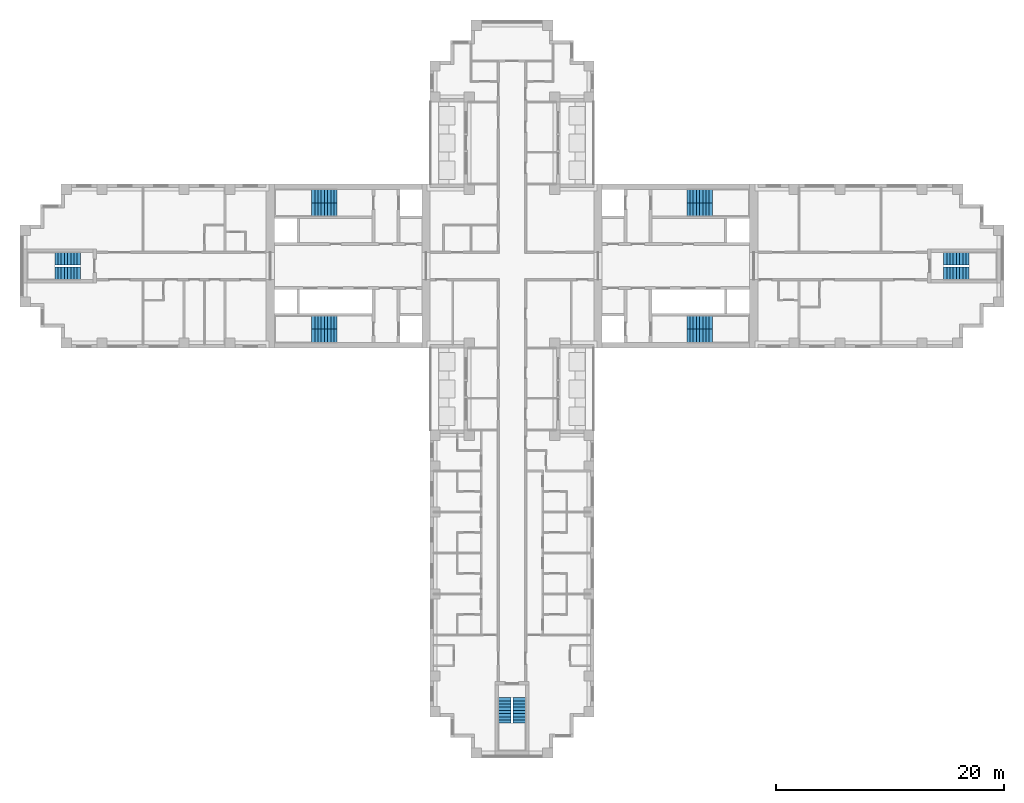
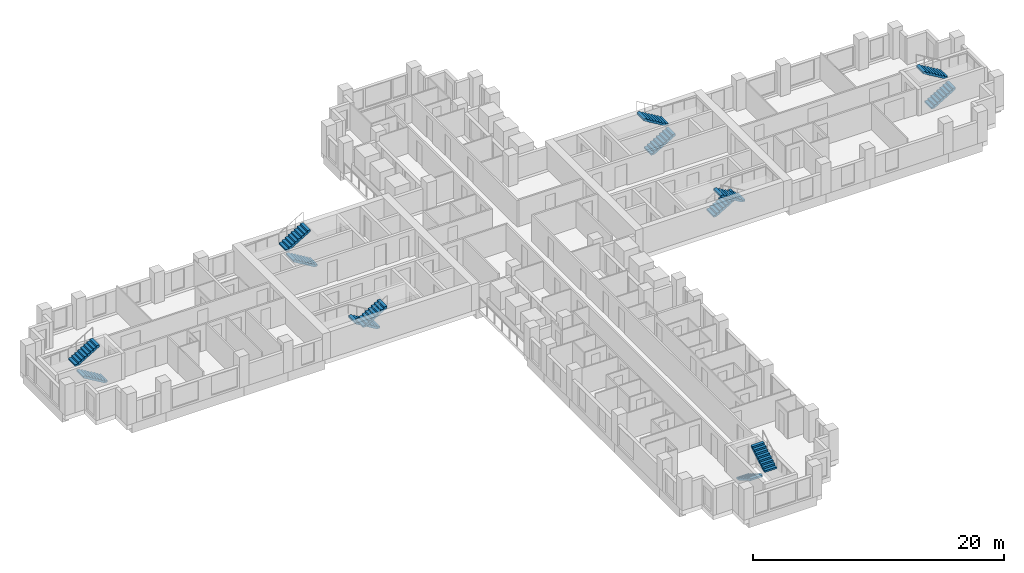
# One storey, part 12 of 14: 14 stair flights, 7 elements without a shape of their own.
"""IFC4 building model written with IfcOpenShell, lengths in metres."""

from ifc_helpers import new_model, si_unit, direction, frame, origin, place, context, subcontext, project, spatial, polyline, outline, extrude, material, type_object, element, aggregate, save


model = new_model("IFC4")

# Units and contexts
model_context = context("Model", 3, precision=1e-05, world=origin(), true_north=direction((0.0, 1.0)))
body_context = subcontext(model_context, "Body", "Model", "MODEL_VIEW")
ifc_project = project(units=[si_unit("LENGTHUNIT", "METRE"), si_unit("AREAUNIT", "SQUARE_METRE"), si_unit("VOLUMEUNIT", "CUBIC_METRE"), si_unit("PLANEANGLEUNIT", "RADIAN"), si_unit("MASSUNIT", "GRAM", prefix="KILO")], contexts=[model_context])

# Site, building, storey
site_placement = place(None, origin())
site = spatial("IfcSite", under=ifc_project, at=site_placement, CompositionType="ELEMENT")
building_placement = place(site_placement, origin())
building = spatial("IfcBuilding", under=site, at=building_placement, Name="Fustian Cross Tower", CompositionType="ELEMENT")
storey_placement = place(building_placement, frame((0.0, 0.0, 69.89990234375)))
storey = spatial("IfcBuildingStorey", under=building, at=storey_placement, Name="L21", CompositionType="ELEMENT", Elevation=69.89990234375)

# Stair, stair flights
ifc_material_1 = material(Name="Concrete C50/60", Category="concrete")
stair_type_1 = type_object("IfcStairType", Name="STAIR 1100 HALF TURN", PredefinedType="HALF_TURN_STAIR", material=ifc_material_1)
stair_1_placement = place(storey_placement, origin())
stair_1 = element("IfcStair", 1, at=stair_1_placement, inside=storey, type_object=stair_type_1, Name="Stair ST6", PredefinedType="HALF_TURN_STAIR")
ifc_material_2 = material(Name="Concrete C50/60", Category="concrete")
stair_flight_type_1 = type_object("IfcStairFlightType", Name="STAIR FLIGHT 1100", PredefinedType="STRAIGHT", material=ifc_material_2)
stair_flight_1_placement = place(storey_placement, frame((-0.64990234375, -37.89990234375, 0.0), z_axis=(0.0, 0.0, 1.0), x_axis=(0.0, -1.0, 0.0)))
stair_flight_1 = element("IfcStairFlight", 2, at=stair_flight_1_placement, type_object=stair_flight_type_1, Name="ST6 flight 1", NumberOfRisers=9, NumberOfTreads=8, PredefinedType="STRAIGHT", RiserHeight=0.166666667, TreadLength=0.28, context=body_context, shape_type="SweptSolid", body=[
    extrude(outline(polyline([(0.0, 0.0), (0.0, 0.166748046875), (0.280029296875, 0.166748046875), (0.280029296875, 0.333251953125), (0.56005859375, 0.333251953125), (0.56005859375, 0.5), (0.840087890625, 0.5), (0.840087890625, 0.666748046875), (1.1201171875, 0.666748046875), (1.1201171875, 0.833251953125), (1.39990234375, 0.833251953125), (1.39990234375, 1.0), (1.679931640625, 1.0), (1.679931640625, 1.166748046875), (1.9599609375, 1.166748046875), (1.9599609375, 1.333251953125), (2.239990234375, 1.333251953125), (2.239990234375, 1.5), (2.239990234375, 1.158935546875), (0.29296875, 0.0), (0.0, 0.0)])), frame((0.0, 0.550048828125, 0.0), z_axis=(0.0, -1.0, 0.0), x_axis=(1.0, 0.0, 0.0)), (0.0, 0.0, 1.0), 1.10009765625),
])
stair_flight_2_placement = place(storey_placement, frame((0.64990234375, -40.139892578125, 1.5), z_axis=(0.0, 0.0, 1.0), x_axis=(0.0, 1.0, 0.0)))
stair_flight_2 = element("IfcStairFlight", 3, at=stair_flight_2_placement, type_object=stair_flight_type_1, Name="ST6 flight 2", NumberOfRisers=9, NumberOfTreads=8, PredefinedType="STRAIGHT", RiserHeight=0.166666667, TreadLength=0.28, context=body_context, shape_type="SweptSolid", body=[
    extrude(outline(polyline([(0.0, 0.0), (0.0, 0.166748046875), (0.280029296875, 0.166748046875), (0.280029296875, 0.333251953125), (0.56005859375, 0.333251953125), (0.56005859375, 0.5), (0.840087890625, 0.5), (0.840087890625, 0.666748046875), (1.1201171875, 0.666748046875), (1.1201171875, 0.833251953125), (1.39990234375, 0.833251953125), (1.39990234375, 1.0), (1.679931640625, 1.0), (1.679931640625, 1.166748046875), (1.9599609375, 1.166748046875), (1.9599609375, 1.333251953125), (2.239990234375, 1.333251953125), (2.239990234375, 1.5), (2.239990234375, 1.158935546875), (0.29296875, 0.0), (0.0, 0.0)])), frame((0.0, 0.550048828125, 0.0), z_axis=(0.0, -1.0, 0.0), x_axis=(1.0, 0.0, 0.0)), (0.0, 0.0, 1.0), 1.10009765625),
])
aggregate(stair_1, [stair_flight_1, stair_flight_2])

stair_2_placement = place(storey_placement, origin())
stair_2 = element("IfcStair", 4, at=stair_2_placement, inside=storey, type_object=stair_type_1, Name="Stair ST8", PredefinedType="HALF_TURN_STAIR")
stair_flight_3_placement = place(storey_placement, frame((37.89990234375, -0.64990234375, 0.0), z_axis=(0.0, 0.0, 1.0), x_axis=(1.0, 0.0, 0.0)))
stair_flight_3 = element("IfcStairFlight", 5, at=stair_flight_3_placement, type_object=stair_flight_type_1, Name="ST8 flight 1", NumberOfRisers=9, NumberOfTreads=8, PredefinedType="STRAIGHT", RiserHeight=0.166666667, TreadLength=0.28, context=body_context, shape_type="SweptSolid", body=[
    extrude(outline(polyline([(0.0, 0.0), (0.0, 0.166748046875), (0.280029296875, 0.166748046875), (0.280029296875, 0.333251953125), (0.56005859375, 0.333251953125), (0.56005859375, 0.5), (0.840087890625, 0.5), (0.840087890625, 0.666748046875), (1.1201171875, 0.666748046875), (1.1201171875, 0.833251953125), (1.39990234375, 0.833251953125), (1.39990234375, 1.0), (1.679931640625, 1.0), (1.679931640625, 1.166748046875), (1.9599609375, 1.166748046875), (1.9599609375, 1.333251953125), (2.239990234375, 1.333251953125), (2.239990234375, 1.5), (2.239990234375, 1.158935546875), (0.29296875, 0.0), (0.0, 0.0)])), frame((0.0, 0.550048828125, 0.0), z_axis=(0.0, -1.0, 0.0), x_axis=(1.0, 0.0, 0.0)), (0.0, 0.0, 1.0), 1.10009765625),
])
stair_flight_4_placement = place(storey_placement, frame((40.139892578125, 0.64990234375, 1.5), z_axis=(0.0, 0.0, 1.0), x_axis=(-1.0, 0.0, 0.0)))
stair_flight_4 = element("IfcStairFlight", 6, at=stair_flight_4_placement, type_object=stair_flight_type_1, Name="ST8 flight 2", NumberOfRisers=9, NumberOfTreads=8, PredefinedType="STRAIGHT", RiserHeight=0.166666667, TreadLength=0.28, context=body_context, shape_type="SweptSolid", body=[
    extrude(outline(polyline([(0.0, 0.0), (0.0, 0.166748046875), (0.280029296875, 0.166748046875), (0.280029296875, 0.333251953125), (0.56005859375, 0.333251953125), (0.56005859375, 0.5), (0.840087890625, 0.5), (0.840087890625, 0.666748046875), (1.1201171875, 0.666748046875), (1.1201171875, 0.833251953125), (1.39990234375, 0.833251953125), (1.39990234375, 1.0), (1.679931640625, 1.0), (1.679931640625, 1.166748046875), (1.9599609375, 1.166748046875), (1.9599609375, 1.333251953125), (2.239990234375, 1.333251953125), (2.239990234375, 1.5), (2.239990234375, 1.158935546875), (0.29296875, 0.0), (0.0, 0.0)])), frame((0.0, 0.550048828125, 0.0), z_axis=(0.0, -1.0, 0.0), x_axis=(1.0, 0.0, 0.0)), (0.0, 0.0, 1.0), 1.10009765625),
])
aggregate(stair_2, [stair_flight_3, stair_flight_4])

stair_3_placement = place(storey_placement, origin())
stair_3 = element("IfcStair", 7, at=stair_3_placement, inside=storey, type_object=stair_type_1, Name="Stair ST9", PredefinedType="HALF_TURN_STAIR")
stair_flight_5_placement = place(storey_placement, frame((-37.89990234375, -0.64990234375, 0.0), z_axis=(0.0, 0.0, 1.0), x_axis=(-1.0, 0.0, 0.0)))
stair_flight_5 = element("IfcStairFlight", 8, at=stair_flight_5_placement, type_object=stair_flight_type_1, Name="ST9 flight 1", NumberOfRisers=9, NumberOfTreads=8, PredefinedType="STRAIGHT", RiserHeight=0.166666667, TreadLength=0.28, context=body_context, shape_type="SweptSolid", body=[
    extrude(outline(polyline([(0.0, 0.0), (0.0, 0.166748046875), (0.280029296875, 0.166748046875), (0.280029296875, 0.333251953125), (0.56005859375, 0.333251953125), (0.56005859375, 0.5), (0.840087890625, 0.5), (0.840087890625, 0.666748046875), (1.1201171875, 0.666748046875), (1.1201171875, 0.833251953125), (1.39990234375, 0.833251953125), (1.39990234375, 1.0), (1.679931640625, 1.0), (1.679931640625, 1.166748046875), (1.9599609375, 1.166748046875), (1.9599609375, 1.333251953125), (2.239990234375, 1.333251953125), (2.239990234375, 1.5), (2.239990234375, 1.158935546875), (0.29296875, 0.0), (0.0, 0.0)])), frame((0.0, 0.550048828125, 0.0), z_axis=(0.0, -1.0, 0.0), x_axis=(1.0, 0.0, 0.0)), (0.0, 0.0, 1.0), 1.10009765625),
])
stair_flight_6_placement = place(storey_placement, frame((-40.139892578125, 0.64990234375, 1.5), z_axis=(0.0, 0.0, 1.0), x_axis=(1.0, 0.0, 0.0)))
stair_flight_6 = element("IfcStairFlight", 9, at=stair_flight_6_placement, type_object=stair_flight_type_1, Name="ST9 flight 2", NumberOfRisers=9, NumberOfTreads=8, PredefinedType="STRAIGHT", RiserHeight=0.166666667, TreadLength=0.28, context=body_context, shape_type="SweptSolid", body=[
    extrude(outline(polyline([(0.0, 0.0), (0.0, 0.166748046875), (0.280029296875, 0.166748046875), (0.280029296875, 0.333251953125), (0.56005859375, 0.333251953125), (0.56005859375, 0.5), (0.840087890625, 0.5), (0.840087890625, 0.666748046875), (1.1201171875, 0.666748046875), (1.1201171875, 0.833251953125), (1.39990234375, 0.833251953125), (1.39990234375, 1.0), (1.679931640625, 1.0), (1.679931640625, 1.166748046875), (1.9599609375, 1.166748046875), (1.9599609375, 1.333251953125), (2.239990234375, 1.333251953125), (2.239990234375, 1.5), (2.239990234375, 1.158935546875), (0.29296875, 0.0), (0.0, 0.0)])), frame((0.0, 0.550048828125, 0.0), z_axis=(0.0, -1.0, 0.0), x_axis=(1.0, 0.0, 0.0)), (0.0, 0.0, 1.0), 1.10009765625),
])
aggregate(stair_3, [stair_flight_5, stair_flight_6])

ifc_material_3 = material(Name="Concrete C50/60", Category="concrete")
stair_type_2 = type_object("IfcStairType", Name="STAIR 1150 HALF TURN", PredefinedType="HALF_TURN_STAIR", material=ifc_material_3)
stair_4_placement = place(storey_placement, origin())
stair_4 = element("IfcStair", 10, at=stair_4_placement, inside=storey, type_object=stair_type_2, Name="Stair ST1", PredefinedType="HALF_TURN_STAIR")
ifc_material_4 = material(Name="Concrete C50/60", Category="concrete")
stair_flight_type_2 = type_object("IfcStairFlightType", Name="STAIR FLIGHT 1150", PredefinedType="STRAIGHT", material=ifc_material_4)
stair_flight_7_placement = place(storey_placement, frame((15.35009765625, 4.97509765625, 0.0), z_axis=(0.0, 0.0, 1.0), x_axis=(1.0, 0.0, 0.0)))
stair_flight_7 = element("IfcStairFlight", 11, at=stair_flight_7_placement, type_object=stair_flight_type_2, Name="ST1 flight 1", NumberOfRisers=9, NumberOfTreads=8, PredefinedType="STRAIGHT", RiserHeight=0.166666667, TreadLength=0.28, context=body_context, shape_type="SweptSolid", body=[
    extrude(outline(polyline([(0.0, 0.0), (0.0, 0.166748046875), (0.280029296875, 0.166748046875), (0.280029296875, 0.333251953125), (0.56005859375, 0.333251953125), (0.56005859375, 0.5), (0.840087890625, 0.5), (0.840087890625, 0.666748046875), (1.1201171875, 0.666748046875), (1.1201171875, 0.833251953125), (1.39990234375, 0.833251953125), (1.39990234375, 1.0), (1.679931640625, 1.0), (1.679931640625, 1.166748046875), (1.9599609375, 1.166748046875), (1.9599609375, 1.333251953125), (2.239990234375, 1.333251953125), (2.239990234375, 1.5), (2.239990234375, 1.158935546875), (0.29296875, 0.0), (0.0, 0.0)])), frame((0.0, 0.574951171875, 0.0), z_axis=(0.0, -1.0, 0.0), x_axis=(1.0, 0.0, 0.0)), (0.0, 0.0, 1.0), 1.14990234375),
])
stair_flight_8_placement = place(storey_placement, frame((17.590087890625, 6.125, 1.5), z_axis=(0.0, 0.0, 1.0), x_axis=(-1.0, 0.0, 0.0)))
stair_flight_8 = element("IfcStairFlight", 12, at=stair_flight_8_placement, type_object=stair_flight_type_2, Name="ST1 flight 2", NumberOfRisers=9, NumberOfTreads=8, PredefinedType="STRAIGHT", RiserHeight=0.166666667, TreadLength=0.28, context=body_context, shape_type="SweptSolid", body=[
    extrude(outline(polyline([(0.0, 0.0), (0.0, 0.166748046875), (0.280029296875, 0.166748046875), (0.280029296875, 0.333251953125), (0.56005859375, 0.333251953125), (0.56005859375, 0.5), (0.840087890625, 0.5), (0.840087890625, 0.666748046875), (1.1201171875, 0.666748046875), (1.1201171875, 0.833251953125), (1.39990234375, 0.833251953125), (1.39990234375, 1.0), (1.679931640625, 1.0), (1.679931640625, 1.166748046875), (1.9599609375, 1.166748046875), (1.9599609375, 1.333251953125), (2.239990234375, 1.333251953125), (2.239990234375, 1.5), (2.239990234375, 1.158935546875), (0.29296875, 0.0), (0.0, 0.0)])), frame((0.0, 0.574951171875, 0.0), z_axis=(0.0, -1.0, 0.0), x_axis=(1.0, 0.0, 0.0)), (0.0, 0.0, 1.0), 1.14990234375),
])
aggregate(stair_4, [stair_flight_7, stair_flight_8])

stair_5_placement = place(storey_placement, origin())
stair_5 = element("IfcStair", 13, at=stair_5_placement, inside=storey, type_object=stair_type_2, Name="Stair ST2", PredefinedType="HALF_TURN_STAIR")
stair_flight_9_placement = place(storey_placement, frame((15.35009765625, -4.97509765625, 0.0), z_axis=(0.0, 0.0, 1.0), x_axis=(1.0, 0.0, 0.0)))
stair_flight_9 = element("IfcStairFlight", 14, at=stair_flight_9_placement, type_object=stair_flight_type_2, Name="ST2 flight 1", NumberOfRisers=9, NumberOfTreads=8, PredefinedType="STRAIGHT", RiserHeight=0.166666667, TreadLength=0.28, context=body_context, shape_type="SweptSolid", body=[
    extrude(outline(polyline([(0.0, 0.0), (0.0, 0.166748046875), (0.280029296875, 0.166748046875), (0.280029296875, 0.333251953125), (0.56005859375, 0.333251953125), (0.56005859375, 0.5), (0.840087890625, 0.5), (0.840087890625, 0.666748046875), (1.1201171875, 0.666748046875), (1.1201171875, 0.833251953125), (1.39990234375, 0.833251953125), (1.39990234375, 1.0), (1.679931640625, 1.0), (1.679931640625, 1.166748046875), (1.9599609375, 1.166748046875), (1.9599609375, 1.333251953125), (2.239990234375, 1.333251953125), (2.239990234375, 1.5), (2.239990234375, 1.158935546875), (0.29296875, 0.0), (0.0, 0.0)])), frame((0.0, 0.574951171875, 0.0), z_axis=(0.0, -1.0, 0.0), x_axis=(1.0, 0.0, 0.0)), (0.0, 0.0, 1.0), 1.14990234375),
])
stair_flight_10_placement = place(storey_placement, frame((17.590087890625, -6.125, 1.5), z_axis=(0.0, 0.0, 1.0), x_axis=(-1.0, 0.0, 0.0)))
stair_flight_10 = element("IfcStairFlight", 15, at=stair_flight_10_placement, type_object=stair_flight_type_2, Name="ST2 flight 2", NumberOfRisers=9, NumberOfTreads=8, PredefinedType="STRAIGHT", RiserHeight=0.166666667, TreadLength=0.28, context=body_context, shape_type="SweptSolid", body=[
    extrude(outline(polyline([(0.0, 0.0), (0.0, 0.166748046875), (0.280029296875, 0.166748046875), (0.280029296875, 0.333251953125), (0.56005859375, 0.333251953125), (0.56005859375, 0.5), (0.840087890625, 0.5), (0.840087890625, 0.666748046875), (1.1201171875, 0.666748046875), (1.1201171875, 0.833251953125), (1.39990234375, 0.833251953125), (1.39990234375, 1.0), (1.679931640625, 1.0), (1.679931640625, 1.166748046875), (1.9599609375, 1.166748046875), (1.9599609375, 1.333251953125), (2.239990234375, 1.333251953125), (2.239990234375, 1.5), (2.239990234375, 1.158935546875), (0.29296875, 0.0), (0.0, 0.0)])), frame((0.0, 0.574951171875, 0.0), z_axis=(0.0, -1.0, 0.0), x_axis=(1.0, 0.0, 0.0)), (0.0, 0.0, 1.0), 1.14990234375),
])
aggregate(stair_5, [stair_flight_9, stair_flight_10])

stair_6_placement = place(storey_placement, origin())
stair_6 = element("IfcStair", 16, at=stair_6_placement, inside=storey, type_object=stair_type_2, Name="Stair ST3", PredefinedType="HALF_TURN_STAIR")
stair_flight_11_placement = place(storey_placement, frame((-15.35009765625, 4.97509765625, 0.0), z_axis=(0.0, 0.0, 1.0), x_axis=(-1.0, 0.0, 0.0)))
stair_flight_11 = element("IfcStairFlight", 17, at=stair_flight_11_placement, type_object=stair_flight_type_2, Name="ST3 flight 1", NumberOfRisers=9, NumberOfTreads=8, PredefinedType="STRAIGHT", RiserHeight=0.166666667, TreadLength=0.28, context=body_context, shape_type="SweptSolid", body=[
    extrude(outline(polyline([(0.0, 0.0), (0.0, 0.166748046875), (0.280029296875, 0.166748046875), (0.280029296875, 0.333251953125), (0.56005859375, 0.333251953125), (0.56005859375, 0.5), (0.840087890625, 0.5), (0.840087890625, 0.666748046875), (1.1201171875, 0.666748046875), (1.1201171875, 0.833251953125), (1.39990234375, 0.833251953125), (1.39990234375, 1.0), (1.679931640625, 1.0), (1.679931640625, 1.166748046875), (1.9599609375, 1.166748046875), (1.9599609375, 1.333251953125), (2.239990234375, 1.333251953125), (2.239990234375, 1.5), (2.239990234375, 1.158935546875), (0.29296875, 0.0), (0.0, 0.0)])), frame((0.0, 0.574951171875, 0.0), z_axis=(0.0, -1.0, 0.0), x_axis=(1.0, 0.0, 0.0)), (0.0, 0.0, 1.0), 1.14990234375),
])
stair_flight_12_placement = place(storey_placement, frame((-17.590087890625, 6.125, 1.5), z_axis=(0.0, 0.0, 1.0), x_axis=(1.0, 0.0, 0.0)))
stair_flight_12 = element("IfcStairFlight", 18, at=stair_flight_12_placement, type_object=stair_flight_type_2, Name="ST3 flight 2", NumberOfRisers=9, NumberOfTreads=8, PredefinedType="STRAIGHT", RiserHeight=0.166666667, TreadLength=0.28, context=body_context, shape_type="SweptSolid", body=[
    extrude(outline(polyline([(0.0, 0.0), (0.0, 0.166748046875), (0.280029296875, 0.166748046875), (0.280029296875, 0.333251953125), (0.56005859375, 0.333251953125), (0.56005859375, 0.5), (0.840087890625, 0.5), (0.840087890625, 0.666748046875), (1.1201171875, 0.666748046875), (1.1201171875, 0.833251953125), (1.39990234375, 0.833251953125), (1.39990234375, 1.0), (1.679931640625, 1.0), (1.679931640625, 1.166748046875), (1.9599609375, 1.166748046875), (1.9599609375, 1.333251953125), (2.239990234375, 1.333251953125), (2.239990234375, 1.5), (2.239990234375, 1.158935546875), (0.29296875, 0.0), (0.0, 0.0)])), frame((0.0, 0.574951171875, 0.0), z_axis=(0.0, -1.0, 0.0), x_axis=(1.0, 0.0, 0.0)), (0.0, 0.0, 1.0), 1.14990234375),
])
aggregate(stair_6, [stair_flight_11, stair_flight_12])

stair_7_placement = place(storey_placement, origin())
stair_7 = element("IfcStair", 19, at=stair_7_placement, inside=storey, type_object=stair_type_2, Name="Stair ST4", PredefinedType="HALF_TURN_STAIR")
stair_flight_13_placement = place(storey_placement, frame((-15.35009765625, -4.97509765625, 0.0), z_axis=(0.0, 0.0, 1.0), x_axis=(-1.0, 0.0, 0.0)))
stair_flight_13 = element("IfcStairFlight", 20, at=stair_flight_13_placement, type_object=stair_flight_type_2, Name="ST4 flight 1", NumberOfRisers=9, NumberOfTreads=8, PredefinedType="STRAIGHT", RiserHeight=0.166666667, TreadLength=0.28, context=body_context, shape_type="SweptSolid", body=[
    extrude(outline(polyline([(0.0, 0.0), (0.0, 0.166748046875), (0.280029296875, 0.166748046875), (0.280029296875, 0.333251953125), (0.56005859375, 0.333251953125), (0.56005859375, 0.5), (0.840087890625, 0.5), (0.840087890625, 0.666748046875), (1.1201171875, 0.666748046875), (1.1201171875, 0.833251953125), (1.39990234375, 0.833251953125), (1.39990234375, 1.0), (1.679931640625, 1.0), (1.679931640625, 1.166748046875), (1.9599609375, 1.166748046875), (1.9599609375, 1.333251953125), (2.239990234375, 1.333251953125), (2.239990234375, 1.5), (2.239990234375, 1.158935546875), (0.29296875, 0.0), (0.0, 0.0)])), frame((0.0, 0.574951171875, 0.0), z_axis=(0.0, -1.0, 0.0), x_axis=(1.0, 0.0, 0.0)), (0.0, 0.0, 1.0), 1.14990234375),
])
stair_flight_14_placement = place(storey_placement, frame((-17.590087890625, -6.125, 1.5), z_axis=(0.0, 0.0, 1.0), x_axis=(1.0, 0.0, 0.0)))
stair_flight_14 = element("IfcStairFlight", 21, at=stair_flight_14_placement, type_object=stair_flight_type_2, Name="ST4 flight 2", NumberOfRisers=9, NumberOfTreads=8, PredefinedType="STRAIGHT", RiserHeight=0.166666667, TreadLength=0.28, context=body_context, shape_type="SweptSolid", body=[
    extrude(outline(polyline([(0.0, 0.0), (0.0, 0.166748046875), (0.280029296875, 0.166748046875), (0.280029296875, 0.333251953125), (0.56005859375, 0.333251953125), (0.56005859375, 0.5), (0.840087890625, 0.5), (0.840087890625, 0.666748046875), (1.1201171875, 0.666748046875), (1.1201171875, 0.833251953125), (1.39990234375, 0.833251953125), (1.39990234375, 1.0), (1.679931640625, 1.0), (1.679931640625, 1.166748046875), (1.9599609375, 1.166748046875), (1.9599609375, 1.333251953125), (2.239990234375, 1.333251953125), (2.239990234375, 1.5), (2.239990234375, 1.158935546875), (0.29296875, 0.0), (0.0, 0.0)])), frame((0.0, 0.574951171875, 0.0), z_axis=(0.0, -1.0, 0.0), x_axis=(1.0, 0.0, 0.0)), (0.0, 0.0, 1.0), 1.14990234375),
])
aggregate(stair_7, [stair_flight_13, stair_flight_14])

save(model, "model.ifc")
